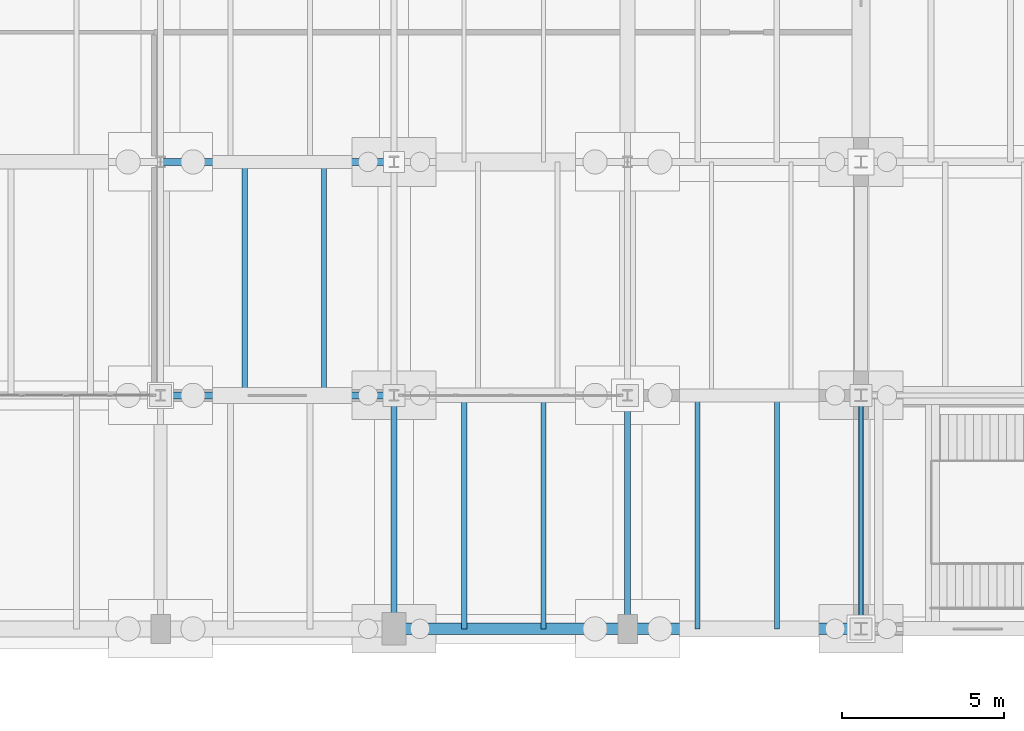
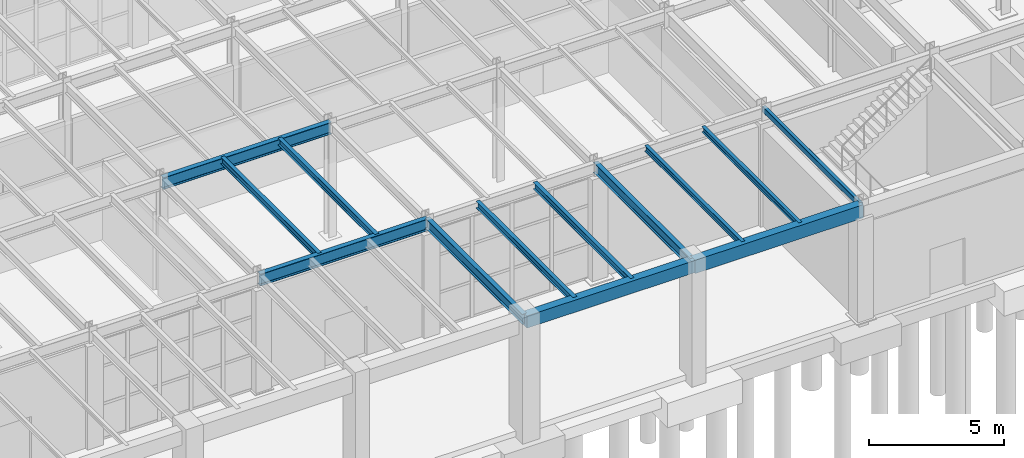
# One storey, part 153 of 293: 13 beams.
"""IFC4 building model written with IfcOpenShell, lengths in metres."""

from ifc_helpers import new_model, si_unit, direction, frame, origin, origin_2d, place, context, subcontext, project, spatial, rectangle, hollow_rectangle, i_section, extrude, material, material_profile, profile_set, type_object, element, save


model = new_model("IFC4")

# Units and contexts
model_context = context("Model", 3, precision=1e-05, world=origin(), true_north=direction((0.0, 1.0)))
body_context = subcontext(model_context, "Body", "Model", "MODEL_VIEW")
ifc_project = project(units=[si_unit("LENGTHUNIT", "METRE"), si_unit("AREAUNIT", "SQUARE_METRE"), si_unit("VOLUMEUNIT", "CUBIC_METRE"), si_unit("PLANEANGLEUNIT", "RADIAN"), si_unit("MASSUNIT", "GRAM", prefix="KILO")], contexts=[model_context])

# Site, building, storey
site_placement = place(None, origin())
site = spatial("IfcSite", under=ifc_project, at=site_placement, CompositionType="ELEMENT")
building_placement = place(site_placement, origin())
building = spatial("IfcBuilding", under=site, at=building_placement, Name="Kemerveld Promenade Tramway Depot", CompositionType="ELEMENT")
storey_placement = place(building_placement, origin())
storey = spatial("IfcBuildingStorey", under=building, at=storey_placement, Name="L00", CompositionType="ELEMENT", Elevation=0.0)

# Beams
ifc_material_1 = material(Name="Steel S355", Category="steel")
ifc_material_profile_1 = material_profile(ifc_material_1, i_section(OverallWidth=0.2099609375, OverallDepth=0.53662109375, WebThickness=0.0107421875, FlangeThickness=0.017333984375, FilletRadius=0.0126953125, at=origin_2d()), Name="533x210x101 UB")
ifc_profile_set_1 = profile_set([ifc_material_profile_1], Name="Steel S355")
beam_type_1 = type_object("IfcBeamType", Name="BM-G05", PredefinedType="BEAM", material=ifc_profile_set_1)
for number, where, z_axis, x_axis, name in (
    (1, (136.800048828125, 7.199951171875, 4.906494140625), (1.0, 0.0, 0.0), (0.0, 1.0, 0.0), "BMX-L00-20-21-B"),
    (2, (136.800048828125, 14.39990234375, 4.906494140625), (1.0, 0.0, 0.0), (0.0, 1.0, 0.0), "BMX-L00-20-21-C"),
):
    element("IfcBeam", number, at=place(storey_placement, frame(where, z_axis=z_axis, x_axis=x_axis)), inside=storey, type_object=beam_type_1, Name=name, PredefinedType="BEAM", context=body_context, shape_type="SweptSolid", body=[
        extrude(i_section(OverallWidth=0.2099609375, OverallDepth=0.53662109375, WebThickness=0.0107421875, FlangeThickness=0.017333984375, FilletRadius=0.0126953125, at=origin_2d()), origin(), (0.0, 0.0, 1.0), 7.199951171875),
    ])
ifc_material_profile_2 = material_profile(ifc_material_1, i_section(OverallWidth=0.19140625, OverallDepth=0.4599609375, WebThickness=0.010009765625, FlangeThickness=0.01611328125, FilletRadius=0.01025390625, at=origin_2d()), Name="457x191x82 UB")
ifc_profile_set_2 = profile_set([ifc_material_profile_2], Name="Steel S355")
beam_type_2 = type_object("IfcBeamType", Name="BM-G06", PredefinedType="BEAM", material=ifc_profile_set_2)
for number, where, z_axis, x_axis, name in (
    (3, (144.0, 0.0, 4.945068359375), (0.0, 1.0, 0.0), (-1.0, 0.0, 0.0), "BMY-L00-21-A-B"),
    (4, (151.199951171875, 0.0, 4.945068359375), (0.0, 1.0, 0.0), (-1.0, 0.0, 0.0), "BMY-L00-22-A-B"),
):
    element("IfcBeam", number, at=place(storey_placement, frame(where, z_axis=z_axis, x_axis=x_axis)), inside=storey, type_object=beam_type_2, Name=name, PredefinedType="BEAM", context=body_context, shape_type="SweptSolid", body=[
        extrude(i_section(OverallWidth=0.19140625, OverallDepth=0.4599609375, WebThickness=0.010009765625, FlangeThickness=0.01611328125, FilletRadius=0.01025390625, at=origin_2d()), origin(), (0.0, 0.0, 1.0), 7.199951171875),
    ])
ifc_material_profile_3 = material_profile(ifc_material_1, i_section(OverallWidth=0.165771484375, OverallDepth=0.306640625, WebThickness=0.006591796875, FlangeThickness=0.01171875, FilletRadius=0.0087890625, at=origin_2d()), Name="305x165x46 UB")
ifc_profile_set_3 = profile_set([ifc_material_profile_3], Name="Steel S355")
beam_type_3 = type_object("IfcBeamType", Name="BM-J01", PredefinedType="JOIST", material=ifc_profile_set_3)
for number, where, z_axis, x_axis, name in (
    (5, (139.39208984375, 7.199951171875, 5.021728515625), (0.0, 1.0, 0.0), (-1.0, 0.0, 0.0), "JST-L00-20-B-1"),
    (6, (141.840087890625, 7.199951171875, 5.021728515625), (0.0, 1.0, 0.0), (-1.0, 0.0, 0.0), "JST-L00-20-B-2"),
    (7, (146.159912109375, 0.0, 5.021728515625), (0.0, 1.0, 0.0), (-1.0, 0.0, 0.0), "JST-L00-21-A-1"),
    (8, (148.60791015625, 0.0, 5.021728515625), (0.0, 1.0, 0.0), (-1.0, 0.0, 0.0), "JST-L00-21-A-2"),
):
    element("IfcBeam", number, at=place(storey_placement, frame(where, z_axis=z_axis, x_axis=x_axis)), inside=storey, type_object=beam_type_3, Name=name, PredefinedType="JOIST", context=body_context, shape_type="SweptSolid", body=[
        extrude(i_section(OverallWidth=0.165771484375, OverallDepth=0.306640625, WebThickness=0.006591796875, FlangeThickness=0.01171875, FilletRadius=0.0087890625, at=origin_2d()), origin(), (0.0, 0.0, 1.0), 7.199951171875),
    ])
ifc_material_profile_4 = material_profile(ifc_material_1, i_section(OverallWidth=0.146484375, OverallDepth=0.256103515625, WebThickness=0.00634765625, FlangeThickness=0.010986328125, FilletRadius=0.007568359375, at=origin_2d()), Name="254x146x37 UB")
ifc_profile_set_4 = profile_set([ifc_material_profile_4], Name="Steel S355")
beam_type_4 = type_object("IfcBeamType", Name="BM-J02", PredefinedType="JOIST", material=ifc_profile_set_4)
for number, where, z_axis, x_axis, name in (
    (9, (153.360107421875, 0.0, 5.047119140625), (0.0, 1.0, 0.0), (-1.0, 0.0, 0.0), "JST-L00-22-A-1"),
    (10, (155.80810546875, 0.0, 5.047119140625), (0.0, 1.0, 0.0), (-1.0, 0.0, 0.0), "JST-L00-22-A-2"),
):
    element("IfcBeam", number, at=place(storey_placement, frame(where, z_axis=z_axis, x_axis=x_axis)), inside=storey, type_object=beam_type_4, Name=name, PredefinedType="JOIST", context=body_context, shape_type="SweptSolid", body=[
        extrude(i_section(OverallWidth=0.146484375, OverallDepth=0.256103515625, WebThickness=0.00634765625, FlangeThickness=0.010986328125, FilletRadius=0.007568359375, at=origin_2d()), origin(), (0.0, 0.0, 1.0), 7.199951171875),
    ])
ifc_material_2 = material(Name="Concrete C40/50", Category="concrete")
ifc_material_profile_5 = material_profile(ifc_material_2, rectangle(XDim=0.35009765625, YDim=0.550048828125, at=origin_2d()), Name="RC-BM-350x550")
ifc_profile_set_5 = profile_set([ifc_material_profile_5], Name="Concrete C40/50")
beam_type_5 = type_object("IfcBeamType", Name="BM-RC3", PredefinedType="BEAM", material=ifc_profile_set_5)
beam_1_placement = place(storey_placement, frame((144.0, 0.0, 4.89990234375), z_axis=(1.0, 0.0, 0.0), x_axis=(0.0, 1.0, 0.0)))
element("IfcBeam", 11, at=beam_1_placement, inside=storey, type_object=beam_type_5, Name="BMX-L00-21-22-A", PredefinedType="BEAM", context=body_context, shape_type="SweptSolid", body=[
    extrude(rectangle(XDim=0.35009765625, YDim=0.550048828125, at=origin_2d()), origin(), (0.0, 0.0, 1.0), 7.199951171875),
])
ifc_material_profile_6 = material_profile(ifc_material_2, rectangle(XDim=0.35009765625, YDim=0.60009765625, at=origin_2d()), Name="RC-BM-350x600")
ifc_profile_set_6 = profile_set([ifc_material_profile_6], Name="Concrete C40/50")
beam_type_6 = type_object("IfcBeamType", Name="BM-RC4", PredefinedType="BEAM", material=ifc_profile_set_6)
beam_2_placement = place(storey_placement, frame((151.199951171875, 0.0, 4.875), z_axis=(1.0, 0.0, 0.0), x_axis=(0.0, 1.0, 0.0)))
element("IfcBeam", 12, at=beam_2_placement, inside=storey, type_object=beam_type_6, Name="BMX-L00-22-23-A", PredefinedType="BEAM", context=body_context, shape_type="SweptSolid", body=[
    extrude(rectangle(XDim=0.35009765625, YDim=0.60009765625, at=origin_2d()), origin(), (0.0, 0.0, 1.0), 7.199951171875),
])
ifc_material_profile_7 = material_profile(ifc_material_1, hollow_rectangle(XDim=0.14990234375, YDim=0.25, WallThickness=0.010009765625, InnerFilletRadius=0.0048828125, OuterFilletRadius=0.014892578125, at=origin_2d()), Name="250x150x10.0 RHS")
ifc_profile_set_7 = profile_set([ifc_material_profile_7], Name="Steel S355")
beam_type_7 = type_object("IfcBeamType", Name="BM-SP2", PredefinedType="SPANDREL", material=ifc_profile_set_7)
beam_3_placement = place(storey_placement, frame((158.39990234375, 0.0, 5.050048828125), z_axis=(0.0, 1.0, 0.0), x_axis=(-1.0, 0.0, 0.0)))
element("IfcBeam", 13, at=beam_3_placement, inside=storey, type_object=beam_type_7, Name="BMY-L00-23-A-B", PredefinedType="SPANDREL", context=body_context, shape_type="SweptSolid", body=[
    extrude(hollow_rectangle(XDim=0.14990234375, YDim=0.25, WallThickness=0.010009765625, InnerFilletRadius=0.0048828125, OuterFilletRadius=0.014892578125, at=origin_2d()), origin(), (0.0, 0.0, 1.0), 7.199951171875),
])

save(model, "model.ifc")
